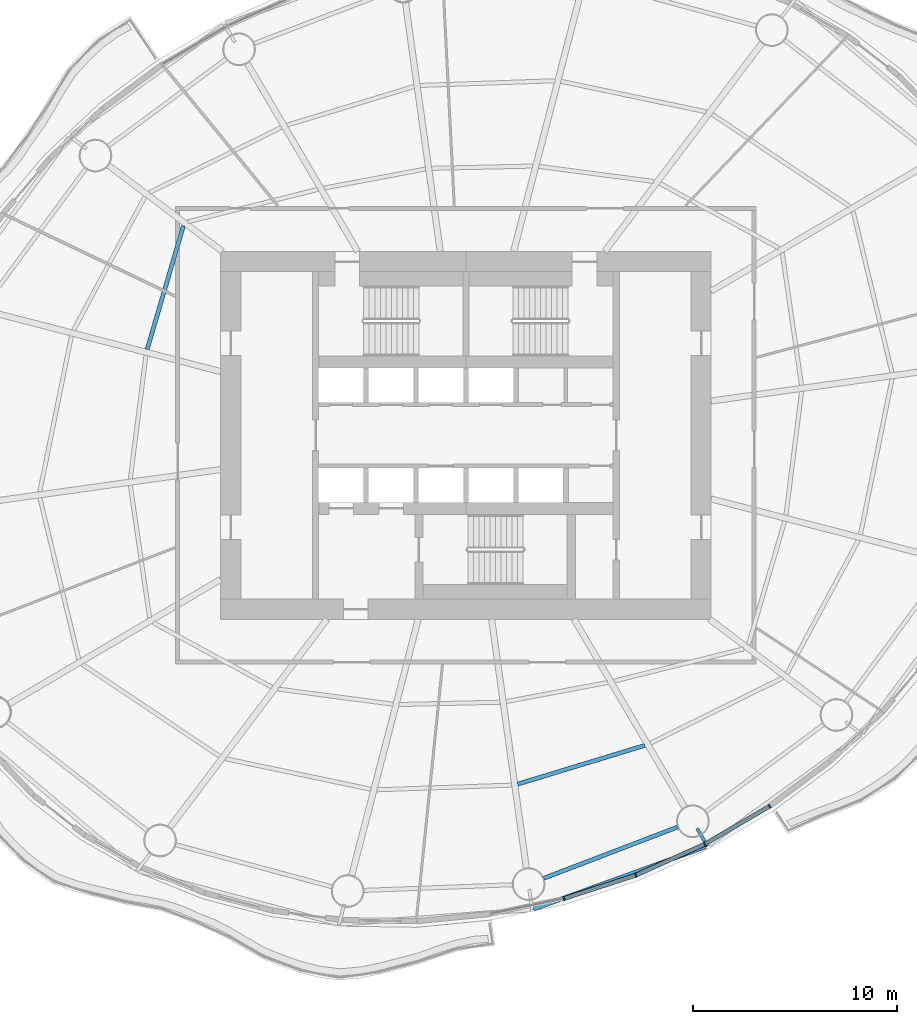
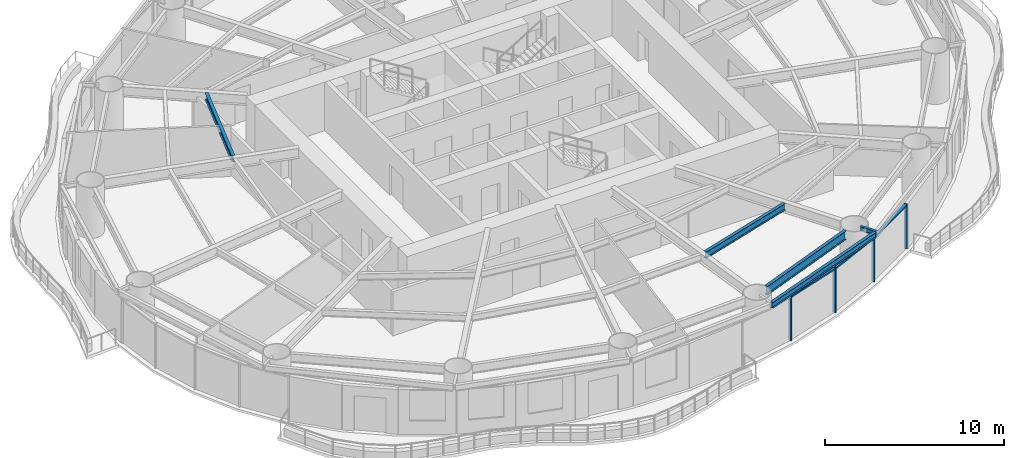
# One storey, part 3 of 14: 7 members, 5 beams, 3 elements without a shape of their own.
"""IFC4 building model written with IfcOpenShell, lengths in metres."""

from ifc_helpers import new_model, si_unit, direction, frame, origin, origin_2d, place, context, subcontext, project, spatial, rectangle, i_section, extrude, material, material_profile, profile_set, type_object, element, aggregate, save


model = new_model("IFC4")

# Units and contexts
model_context = context("Model", 3, precision=1e-05, world=origin(), true_north=direction((0.0, 1.0)))
body_context = subcontext(model_context, "Body", "Model", "MODEL_VIEW")
ifc_project = project(units=[si_unit("LENGTHUNIT", "METRE"), si_unit("AREAUNIT", "SQUARE_METRE"), si_unit("VOLUMEUNIT", "CUBIC_METRE"), si_unit("PLANEANGLEUNIT", "RADIAN"), si_unit("MASSUNIT", "GRAM", prefix="KILO")], contexts=[model_context])

# Site, building, storey
site_placement = place(None, origin())
site = spatial("IfcSite", under=ifc_project, at=site_placement, CompositionType="ELEMENT")
building_placement = place(site_placement, origin())
building = spatial("IfcBuilding", under=site, at=building_placement, Name="Vermilion Reach Broadcast Tower", CompositionType="ELEMENT")
storey_placement = place(building_placement, frame((0.0, 0.0, 117.39990234375)))
storey = spatial("IfcBuildingStorey", under=building, at=storey_placement, Name="L27", CompositionType="ELEMENT", Elevation=117.39990234375)

# Beams
ifc_material_1 = material(Name="Steel S355J2", Category="steel")
ifc_material_profile_1 = material_profile(ifc_material_1, i_section(OverallWidth=0.199951171875, OverallDepth=0.39990234375, WebThickness=0.008056640625, FlangeThickness=0.012939453125, at=origin_2d()), Name="S355J2 HN 400x200x8x13")
ifc_profile_set_1 = profile_set([ifc_material_profile_1], Name="Steel S355J2")
beam_type_1 = type_object("IfcBeamType", Name="EB2 HN 400x200x8x13", PredefinedType="BEAM", material=ifc_profile_set_1)
beam_1_placement = place(storey_placement, frame((-2.687744140625, -23.175537109375, 3.25), z_axis=(0.940209329567, 0.340597147075, 0.0), x_axis=(-0.340597147075, 0.940209329567, 0.0)))
element("IfcBeam", 1, at=beam_1_placement, inside=storey, type_object=beam_type_1, Name="Edge beam EB2-12", PredefinedType="BEAM", context=body_context, shape_type="SweptSolid", body=[
    extrude(i_section(OverallWidth=0.199951171875, OverallDepth=0.39990234375, WebThickness=0.008056640625, FlangeThickness=0.012939453125, at=origin_2d()), origin(), (0.0, 0.0, 1.0), 8.9658203125),
])
ifc_material_2 = material(Name="Steel S355J2", Category="steel")
ifc_material_profile_2 = material_profile(ifc_material_2, i_section(OverallWidth=0.14990234375, OverallDepth=0.300048828125, WebThickness=0.006591796875, FlangeThickness=0.009033203125, at=origin_2d()), Name="S355J2 HN 300x150x6.5x9")
ifc_profile_set_2 = profile_set([ifc_material_profile_2], Name="Steel S355J2")
beam_type_2 = type_object("IfcBeamType", Name="GS2 HN 300x150x6.5x9", PredefinedType="BEAM", material=ifc_profile_set_2)
beam_2_placement = place(storey_placement, frame((5.306884765625, -19.233642578125, 3.300048828125), z_axis=(0.506828068037, -0.862047161964, 0.0), x_axis=(0.862047161964, 0.506828068037, 0.0)))
element("IfcBeam", 2, at=beam_2_placement, inside=storey, type_object=beam_type_2, Name="Cantilever stub GS2-13", PredefinedType="BEAM", context=body_context, shape_type="SweptSolid", body=[
    extrude(i_section(OverallWidth=0.14990234375, OverallDepth=0.300048828125, WebThickness=0.006591796875, FlangeThickness=0.009033203125, at=origin_2d()), origin(), (0.0, 0.0, 1.0), 1.0),
])
ifc_material_3 = material(Name="Steel S355J2", Category="steel")
ifc_material_profile_3 = material_profile(ifc_material_3, i_section(OverallWidth=0.199951171875, OverallDepth=0.60009765625, WebThickness=0.010986328125, FlangeThickness=0.01708984375, at=origin_2d()), Name="S355J2 HN 600x200x11x17")
ifc_profile_set_3 = profile_set([ifc_material_profile_3], Name="Steel S355J2")
beam_type_3 = type_object("IfcBeamType", Name="RB2 HN 600x200x11x17", PredefinedType="BEAM", material=ifc_profile_set_3)
beam_3_placement = place(storey_placement, frame((-2.186767578125, -21.669677734375, 3.150146484375), z_axis=(0.933939237212, 0.357431813353, 0.0), x_axis=(-0.357431813353, 0.933939237212, 0.0)))
element("IfcBeam", 3, at=beam_3_placement, inside=storey, type_object=beam_type_3, Name="Ring beam RB2-12", PredefinedType="BEAM", context=body_context, shape_type="SweptSolid", body=[
    extrude(i_section(OverallWidth=0.199951171875, OverallDepth=0.60009765625, WebThickness=0.010986328125, FlangeThickness=0.01708984375, at=origin_2d()), origin(), (0.0, 0.0, 1.0), 7.001953125),
])
ifc_material_4 = material(Name="Steel S355J2", Category="steel")
ifc_material_profile_4 = material_profile(ifc_material_4, i_section(OverallWidth=0.199951171875, OverallDepth=0.449951171875, WebThickness=0.009033203125, FlangeThickness=0.013916015625, at=origin_2d()), Name="S355J2 HN 450x200x9x14")
ifc_profile_set_4 = profile_set([ifc_material_profile_4], Name="Steel S355J2")
beam_type_4 = type_object("IfcBeamType", Name="SB2 HN 450x200x9x14", PredefinedType="BEAM", material=ifc_profile_set_4)
beam_4_placement = place(storey_placement, frame((-19.821533203125, 10.246337890625, 3.22509765625), z_axis=(-0.281175657723, -0.959656318431, 0.0), x_axis=(0.959656318431, -0.281175657723, 0.0)))
element("IfcBeam", 4, at=beam_4_placement, inside=storey, type_object=beam_type_4, Name="Secondary beam SB2-06-1", PredefinedType="BEAM", context=body_context, shape_type="SweptSolid", body=[
    extrude(i_section(OverallWidth=0.199951171875, OverallDepth=0.449951171875, WebThickness=0.009033203125, FlangeThickness=0.013916015625, at=origin_2d()), origin(), (0.0, 0.0, 1.0), 6.298583984375),
])
beam_5_placement = place(storey_placement, frame((-3.46533203125, -17.064697265625, 3.22509765625), z_axis=(0.956596430605, 0.291415972374, 0.0), x_axis=(-0.291415972374, 0.956596430605, 0.0)))
element("IfcBeam", 5, at=beam_5_placement, inside=storey, type_object=beam_type_4, Name="Secondary beam SB2-12-2", PredefinedType="BEAM", context=body_context, shape_type="SweptSolid", body=[
    extrude(i_section(OverallWidth=0.199951171875, OverallDepth=0.449951171875, WebThickness=0.009033203125, FlangeThickness=0.013916015625, at=origin_2d()), origin(), (0.0, 0.0, 1.0), 6.49267578125),
])

# Curtain wall, member
ifc_material_5 = material(Name="Low-e laminated clear glass in aluminium frame", Category="aluminium")
curtain_wall_type = type_object("IfcCurtainWallType", Name="Slot curtain wall", PredefinedType="NOTDEFINED", material=ifc_material_5)
placement = place(storey_placement, origin())
curtain_wall_1 = element("IfcCurtainWall", 6, at=placement, inside=storey, type_object=curtain_wall_type, Name="Slot curtain wall L27 35", PredefinedType="NOTDEFINED")
ifc_material_6 = material(Name="Anodised aluminium", Category="aluminium")
ifc_material_profile_5 = material_profile(ifc_material_6, rectangle(XDim=0.199951171875, YDim=0.080078125, at=origin_2d()), Name="Slot mullion 80 x 200")
ifc_profile_set_5 = profile_set([ifc_material_profile_5], Name="Anodised aluminium")
member_type_1 = type_object("IfcMemberType", Name="Slot mullion 80 x 200", PredefinedType="MULLION", material=ifc_profile_set_5)
member_1_placement = place(storey_placement, frame((-1.201904296875, -22.661865234375, 0.0), z_axis=(0.0, 0.0, 1.0), x_axis=(-0.258044706981, 0.966132976975, 0.0)))
member_1 = element("IfcMember", 7, at=member_1_placement, type_object=member_type_1, Name="Slot mullion L27 35", PredefinedType="MULLION", context=body_context, shape_type="SweptSolid", body=[
    extrude(rectangle(XDim=0.199951171875, YDim=0.080078125, at=origin_2d()), origin(), (0.0, 0.0, 1.0), 3.050048828125),
])

curtain_wall_2 = element("IfcCurtainWall", 8, at=placement, inside=storey, type_object=curtain_wall_type, Name="Slot curtain wall L27 36", PredefinedType="NOTDEFINED")
member_2_placement = place(storey_placement, frame((2.3115234375, -21.51708984375, 0.0), z_axis=(0.0, 0.0, 1.0), x_axis=(-0.360322372075, 0.932827844879, 0.0)))
member_2 = element("IfcMember", 9, at=member_2_placement, type_object=member_type_1, Name="Slot mullion L27 36", PredefinedType="MULLION", context=body_context, shape_type="SweptSolid", body=[
    extrude(rectangle(XDim=0.199951171875, YDim=0.080078125, at=origin_2d()), origin(), (0.0, 0.0, 1.0), 3.050048828125),
])

# Curtain wall, members
curtain_wall_3 = element("IfcCurtainWall", 10, at=placement, inside=storey, type_object=curtain_wall_type, Name="Slot curtain wall L27 37", PredefinedType="NOTDEFINED")
member_3_placement = place(storey_placement, frame((5.681884765625, -20.002685546875, 0.0), z_axis=(0.0, 0.0, 1.0), x_axis=(-0.458431356654, 0.888729819032, 0.0)))
member_3 = element("IfcMember", 11, at=member_3_placement, type_object=member_type_1, Name="Slot mullion L27 37", PredefinedType="MULLION", context=body_context, shape_type="SweptSolid", body=[
    extrude(rectangle(XDim=0.199951171875, YDim=0.080078125, at=origin_2d()), origin(), (0.0, 0.0, 1.0), 3.050048828125),
])
member_4_placement = place(storey_placement, frame((8.8515625, -18.144775390625, 0.0), z_axis=(0.0, 0.0, 1.0), x_axis=(-0.552242557057, 0.833683488007, 0.0)))
member_4 = element("IfcMember", 12, at=member_4_placement, type_object=member_type_1, Name="Slot mullion L27 38", PredefinedType="MULLION", context=body_context, shape_type="SweptSolid", body=[
    extrude(rectangle(XDim=0.199951171875, YDim=0.080078125, at=origin_2d()), origin(), (0.0, 0.0, 1.0), 3.050048828125),
])

# Member
ifc_material_7 = material(Name="Anodised aluminium", Category="aluminium")
ifc_material_profile_6 = material_profile(ifc_material_7, rectangle(XDim=0.199951171875, YDim=0.10009765625, at=origin_2d()), Name="Slot transom 200 x 100")
ifc_profile_set_6 = profile_set([ifc_material_profile_6], Name="Anodised aluminium")
member_type_2 = type_object("IfcMemberType", Name="Slot transom 200 x 100", PredefinedType="USERDEFINED", material=ifc_profile_set_6)
member_5_placement = place(storey_placement, frame((-1.163818359375, -22.6494140625, 3.0), z_axis=(0.95080899702, 0.309777744821, 0.0), x_axis=(-0.309777744821, 0.95080899702, 0.0)))
member_5 = element("IfcMember", 13, at=member_5_placement, type_object=member_type_2, Name="Slot transom L27 35.1", ObjectType="TRANSOM", PredefinedType="USERDEFINED", context=body_context, shape_type="SweptSolid", body=[
    extrude(rectangle(XDim=0.199951171875, YDim=0.10009765625, at=origin_2d()), origin(), (0.0, 0.0, 1.0), 3.614990234375),
])

aggregate(curtain_wall_1, [member_1, member_5])

member_6_placement = place(storey_placement, frame((2.347900390625, -21.500732421875, 3.0), z_axis=(0.912152597289, 0.409850752421, 0.0), x_axis=(-0.409850752421, 0.912152597289, 0.0)))
member_6 = element("IfcMember", 14, at=member_6_placement, type_object=member_type_2, Name="Slot transom L27 36.1", ObjectType="TRANSOM", PredefinedType="USERDEFINED", context=body_context, shape_type="SweptSolid", body=[
    extrude(rectangle(XDim=0.199951171875, YDim=0.10009765625, at=origin_2d()), origin(), (0.0, 0.0, 1.0), 3.615234375),
])

aggregate(curtain_wall_2, [member_2, member_6])

member_7_placement = place(storey_placement, frame((5.716552734375, -19.982421875, 3.0), z_axis=(0.862722496348, 0.505677658489, 0.0), x_axis=(-0.505677658489, 0.862722496348, 0.0)))
member_7 = element("IfcMember", 15, at=member_7_placement, type_object=member_type_2, Name="Slot transom L27 37.1", ObjectType="TRANSOM", PredefinedType="USERDEFINED", context=body_context, shape_type="SweptSolid", body=[
    extrude(rectangle(XDim=0.199951171875, YDim=0.10009765625, at=origin_2d()), origin(), (0.0, 0.0, 1.0), 3.593994140625),
])

aggregate(curtain_wall_3, [member_3, member_4, member_7])

save(model, "model.ifc")
